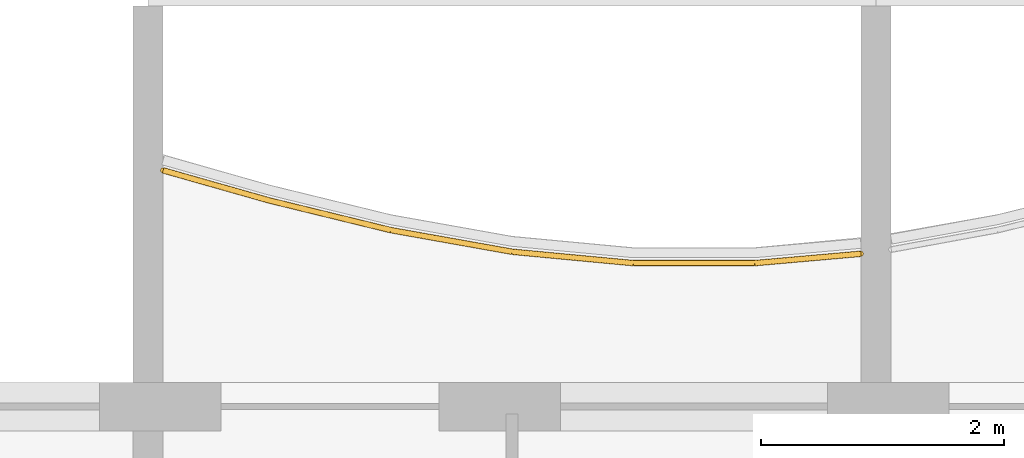
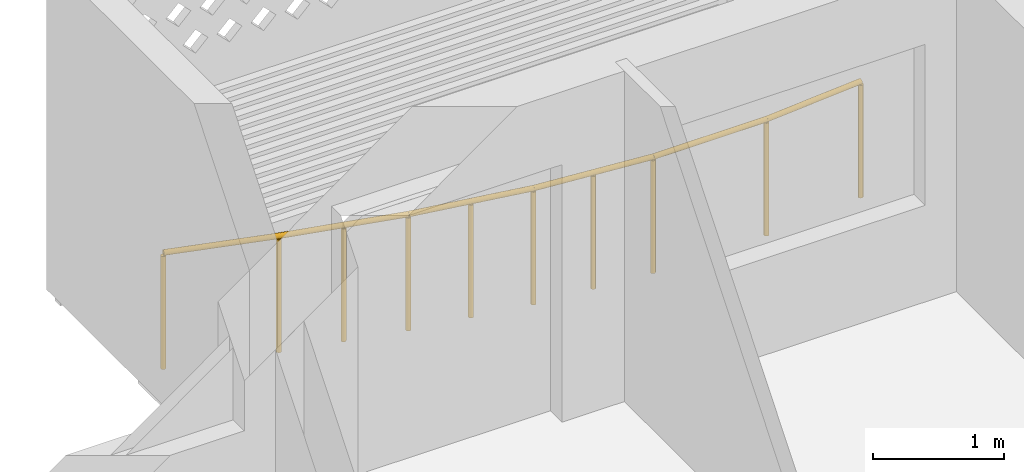
# One storey, part 21 of 28: 1 railing.
"""IFC4 building model written with IfcOpenShell, lengths in metres."""

from ifc_helpers import new_model, si_unit, direction, frame, origin, origin_2d, place, context, subcontext, project, spatial, circle, extrude, material, type_object, element, save


model = new_model("IFC4")

# Units and contexts
model_context = context("Model", 3, precision=1e-05, world=origin(), true_north=direction((0.0, 1.0)))
body_context = subcontext(model_context, "Body", "Model", "MODEL_VIEW")
ifc_project = project(units=[si_unit("LENGTHUNIT", "METRE"), si_unit("AREAUNIT", "SQUARE_METRE"), si_unit("VOLUMEUNIT", "CUBIC_METRE"), si_unit("PLANEANGLEUNIT", "RADIAN"), si_unit("MASSUNIT", "GRAM", prefix="KILO")], contexts=[model_context])

# Site, building, storey
site_placement = place(None, origin())
site = spatial("IfcSite", under=ifc_project, at=site_placement, CompositionType="ELEMENT")
building_placement = place(site_placement, origin())
building = spatial("IfcBuilding", under=site, at=building_placement, Name="Poui Terraces", CompositionType="ELEMENT")
storey_placement = place(building_placement, frame((0.0, 0.0, 181.800048828125)))
storey = spatial("IfcBuildingStorey", under=building, at=storey_placement, Name="L50", CompositionType="ELEMENT", Elevation=181.800048828125)

# Railing
ifc_material = material(Name="Painted steel fretwork", Category="steel")
railing_type = type_object("IfcRailingType", Name="BALCONY GUARD 1100", PredefinedType="GUARDRAIL", material=ifc_material)
railing_placement = place(storey_placement, frame((54.125, 43.146484375, 0.0)))
element("IfcRailing", 1, at=railing_placement, inside=storey, type_object=railing_type, Name="BALCONY GUARD", PredefinedType="GUARDRAIL", context=body_context, shape_type="SweptSolid", body=[
    extrude(circle(Radius=0.02392578125, at=origin_2d()), frame((0.0, 0.0, 1.076171875), z_axis=(0.962089167331, -0.272735098775, 0.0), x_axis=(0.272735098775, 0.962089167331, 0.0)), (0.0, 0.0, 1.0), 0.909423828125),
    extrude(circle(Radius=0.02392578125, at=origin_2d()), frame((0.875, -0.248046875, 1.076171875), z_axis=(0.971467046504, -0.2371745719, 0.0), x_axis=(0.2371745719, 0.971467046504, 0.0)), (0.0, 0.0, 1.0), 1.029296875),
    extrude(circle(Radius=0.02392578125, at=origin_2d()), frame((1.875, -0.4921875, 1.076171875), z_axis=(0.984486939112, -0.175457877332, 0.0), x_axis=(0.175457877332, 0.984486939112, 0.0)), (0.0, 0.0, 1.0), 1.015869140625),
    extrude(circle(Radius=0.02392578125, at=origin_2d()), frame((2.875, -0.67041015625, 1.076171875), z_axis=(0.9956116077, -0.093581657462, 0.0), x_axis=(0.093581657462, 0.9956116077, 0.0)), (0.0, 0.0, 1.0), 1.00439453125),
    extrude(circle(Radius=0.02392578125, at=origin_2d()), frame((3.875, -0.764404296875, 1.076171875), z_axis=(1.0, 0.0, 0.0), x_axis=(0.0, 1.0, 0.0)), (0.0, 0.0, 1.0), 1.0),
    extrude(circle(Radius=0.02392578125, at=origin_2d()), frame((4.875, -0.764404296875, 1.076171875), z_axis=(0.996135573706, 0.087828917771, 0.0), x_axis=(-0.087828917771, 0.996135573706, 0.0)), (0.0, 0.0, 1.0), 0.87841796875),
    extrude(circle(Radius=0.02099609375, at=origin_2d()), origin(), (0.0, 0.0, 1.0), 1.052001953125),
    extrude(circle(Radius=0.02099609375, at=origin_2d()), frame((0.875, -0.248046875, 0.0)), (0.0, 0.0, 1.0), 1.052001953125),
    extrude(circle(Radius=0.02099609375, at=origin_2d()), frame((1.375, -0.3701171875, 0.0)), (0.0, 0.0, 1.0), 1.052001953125),
    extrude(circle(Radius=0.02099609375, at=origin_2d()), frame((1.875, -0.4921875, 0.0)), (0.0, 0.0, 1.0), 1.052001953125),
    extrude(circle(Radius=0.02099609375, at=origin_2d()), frame((2.375, -0.581298828125, 0.0)), (0.0, 0.0, 1.0), 1.052001953125),
    extrude(circle(Radius=0.02099609375, at=origin_2d()), frame((2.875, -0.67041015625, 0.0)), (0.0, 0.0, 1.0), 1.052001953125),
    extrude(circle(Radius=0.02099609375, at=origin_2d()), frame((3.375, -0.71728515625, 0.0)), (0.0, 0.0, 1.0), 1.052001953125),
    extrude(circle(Radius=0.02099609375, at=origin_2d()), frame((3.875, -0.764404296875, 0.0)), (0.0, 0.0, 1.0), 1.052001953125),
    extrude(circle(Radius=0.02099609375, at=origin_2d()), frame((4.875, -0.764404296875, 0.0)), (0.0, 0.0, 1.0), 1.052001953125),
    extrude(circle(Radius=0.02099609375, at=origin_2d()), frame((5.75, -0.687255859375, 0.0)), (0.0, 0.0, 1.0), 1.052001953125),
])

save(model, "model.ifc")
